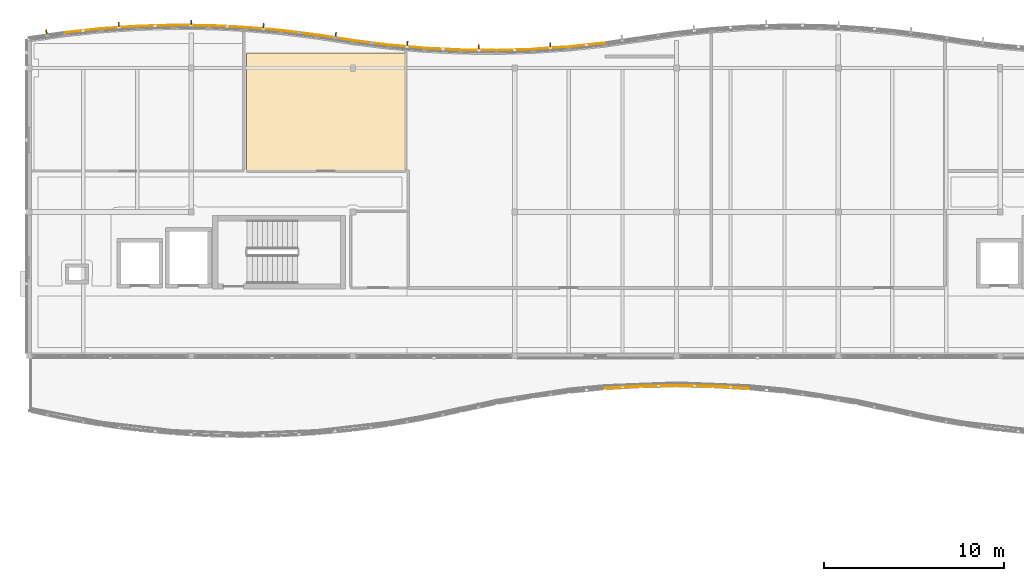
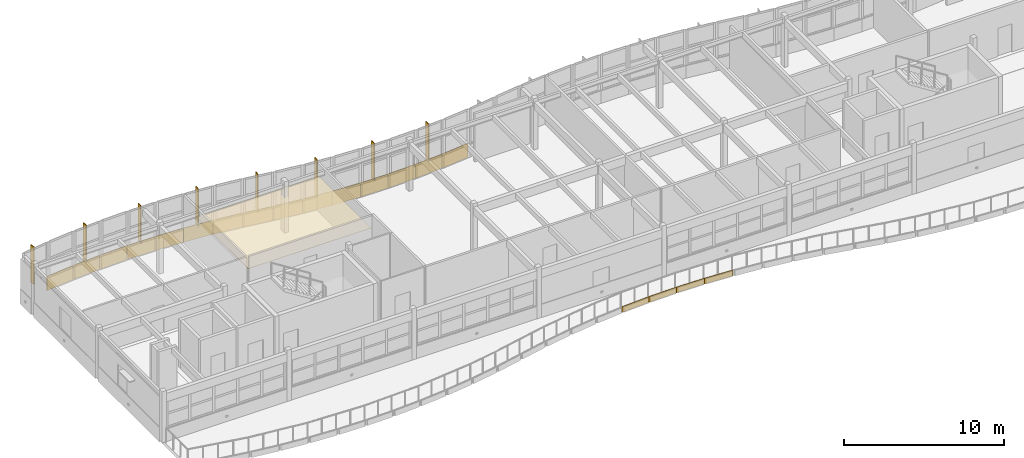
# One storey, part 29 of 33: 20 coverings, 8 shading devices.
"""IFC4 building model written with IfcOpenShell, lengths in metres."""

from ifc_helpers import new_model, si_unit, direction, frame, origin, origin_2d, place, context, subcontext, project, spatial, polyline, rectangle, outline, extrude, material, layer, layer_set, type_object, element, save


model = new_model("IFC4")

# Units and contexts
model_context = context("Model", 3, precision=1e-05, world=origin(), true_north=direction((0.0, 1.0)))
body_context = subcontext(model_context, "Body", "Model", "MODEL_VIEW")
ifc_project = project(units=[si_unit("LENGTHUNIT", "METRE"), si_unit("AREAUNIT", "SQUARE_METRE"), si_unit("VOLUMEUNIT", "CUBIC_METRE"), si_unit("PLANEANGLEUNIT", "RADIAN"), si_unit("MASSUNIT", "GRAM", prefix="KILO")], contexts=[model_context])

# Site, building, storey
site_placement = place(None, origin())
site = spatial("IfcSite", under=ifc_project, at=site_placement, CompositionType="ELEMENT")
building_placement = place(site_placement, origin())
building = spatial("IfcBuilding", under=site, at=building_placement, Name="Tonlespit Floodbar School", CompositionType="ELEMENT")
storey_placement = place(building_placement, frame((0.0, 0.0, 16.199951171875)))
storey = spatial("IfcBuildingStorey", under=building, at=storey_placement, Name="L04", CompositionType="ELEMENT", Elevation=16.199951171875)

# Coverings
ifc_material_1 = material(Name="Acoustic Mineral Tile")
ifc_layer_1 = layer(ifc_material_1, 0.02001953125)
ifc_layer_set_1 = layer_set([ifc_layer_1], Name="Acoustic Mineral Tile")
covering_type_1 = type_object("IfcCoveringType", Name="Ceiling_Acoustic_20", PredefinedType="CEILING", material=ifc_layer_set_1)
covering_1_placement = place(storey_placement, frame((0.0, 0.0, 2.650146484375)))
element("IfcCovering", 1, at=covering_1_placement, inside=storey, type_object=covering_type_1, Name="L04 Senior Humanities Classroom 402 acoustic ceiling", PredefinedType="CEILING", context=body_context, shape_type="SweptSolid", body=[
    extrude(outline(polyline([(56.070068359375, 120.835693359375), (64.929931640625, 120.835693359375), (64.929931640625, 114.27001953125), (56.070068359375, 114.27001953125), (56.070068359375, 120.835693359375)])), origin(), (0.0, 0.0, 1.0), 0.02001953125),
])
ifc_material_2 = material(Name="White Architectural Aluminium", Category="aluminium")
ifc_layer_2 = layer(ifc_material_2, 0.050048828125)
ifc_layer_set_2 = layer_set([ifc_layer_2], Name="White Architectural Aluminium")
covering_type_2 = type_object("IfcCoveringType", Name="Cladding_WhiteBand_50", PredefinedType="CLADDING", material=ifc_layer_set_2)
covering_2_placement = place(storey_placement, frame((0.0, 0.0, -0.119873046875)))
element("IfcCovering", 2, at=covering_2_placement, inside=storey, type_object=covering_type_2, Name="L04 curved white spandrel cladding 0298", PredefinedType="CLADDING", context=body_context, shape_type="SweptSolid", body=[
    extrude(outline(polyline([(45.989501953125, 121.94091796875), (47.989501953125, 122.15380859375), (47.984130859375, 122.203369140625), (45.984130859375, 121.99072265625), (45.989501953125, 121.94091796875)])), origin(), (0.0, 0.0, 1.0), 1.06982421875),
])
covering_3_placement = place(storey_placement, frame((0.0, 0.0, -0.119873046875)))
element("IfcCovering", 3, at=covering_3_placement, inside=storey, type_object=covering_type_2, Name="L04 curved white spandrel cladding 0299", PredefinedType="CLADDING", context=body_context, shape_type="SweptSolid", body=[
    extrude(outline(polyline([(47.993408203125, 122.154052734375), (49.993408203125, 122.2890625), (49.989990234375, 122.339111328125), (47.989990234375, 122.2041015625), (47.993408203125, 122.154052734375)])), origin(), (0.0, 0.0, 1.0), 1.06982421875),
])
covering_4_placement = place(storey_placement, frame((0.0, 0.0, -0.119873046875)))
element("IfcCovering", 4, at=covering_4_placement, inside=storey, type_object=covering_type_2, Name="L04 curved white spandrel cladding 0300", PredefinedType="CLADDING", context=body_context, shape_type="SweptSolid", body=[
    extrude(outline(polyline([(49.9970703125, 122.289306640625), (51.9970703125, 122.346923828125), (51.99560546875, 122.39697265625), (49.99560546875, 122.33935546875), (49.9970703125, 122.289306640625)])), origin(), (0.0, 0.0, 1.0), 1.06982421875),
])
covering_5_placement = place(storey_placement, frame((0.0, 0.0, -0.119873046875)))
element("IfcCovering", 5, at=covering_5_placement, inside=storey, type_object=covering_type_2, Name="L04 curved white spandrel cladding 0301", PredefinedType="CLADDING", context=body_context, shape_type="SweptSolid", body=[
    extrude(outline(polyline([(52.0009765625, 122.346923828125), (54.0009765625, 122.327880859375), (54.00146484375, 122.377685546875), (52.00146484375, 122.39697265625), (52.0009765625, 122.346923828125)])), origin(), (0.0, 0.0, 1.0), 1.06982421875),
])
covering_6_placement = place(storey_placement, frame((0.0, 0.0, -0.119873046875)))
element("IfcCovering", 6, at=covering_6_placement, inside=storey, type_object=covering_type_2, Name="L04 curved white spandrel cladding 0302", PredefinedType="CLADDING", context=body_context, shape_type="SweptSolid", body=[
    extrude(outline(polyline([(54.0048828125, 122.32763671875), (56.0048828125, 122.2314453125), (56.007080078125, 122.28125), (54.007080078125, 122.377685546875), (54.0048828125, 122.32763671875)])), origin(), (0.0, 0.0, 1.0), 1.06982421875),
])
covering_7_placement = place(storey_placement, frame((0.0, 0.0, -0.119873046875)))
element("IfcCovering", 7, at=covering_7_placement, inside=storey, type_object=covering_type_2, Name="L04 curved white spandrel cladding 0303", PredefinedType="CLADDING", context=body_context, shape_type="SweptSolid", body=[
    extrude(outline(polyline([(56.0087890625, 122.231201171875), (58.0087890625, 122.057373046875), (58.012939453125, 122.107177734375), (56.012939453125, 122.281005859375), (56.0087890625, 122.231201171875)])), origin(), (0.0, 0.0, 1.0), 1.06982421875),
])
covering_8_placement = place(storey_placement, frame((0.0, 0.0, -0.119873046875)))
element("IfcCovering", 8, at=covering_8_placement, inside=storey, type_object=covering_type_2, Name="L04 curved white spandrel cladding 0304", PredefinedType="CLADDING", context=body_context, shape_type="SweptSolid", body=[
    extrude(outline(polyline([(58.012451171875, 122.056884765625), (60.012451171875, 121.804931640625), (60.018798828125, 121.8544921875), (58.018798828125, 122.1064453125), (58.012451171875, 122.056884765625)])), origin(), (0.0, 0.0, 1.0), 1.06982421875),
])
covering_9_placement = place(storey_placement, frame((0.0, 0.0, -0.119873046875)))
element("IfcCovering", 9, at=covering_9_placement, inside=storey, type_object=covering_type_2, Name="L04 curved white spandrel cladding 0305", PredefinedType="CLADDING", context=body_context, shape_type="SweptSolid", body=[
    extrude(outline(polyline([(60.015380859375, 121.804443359375), (62.015380859375, 121.4931640625), (62.023193359375, 121.54248046875), (60.023193359375, 121.85400390625), (60.015380859375, 121.804443359375)])), origin(), (0.0, 0.0, 1.0), 1.06982421875),
])
covering_10_placement = place(storey_placement, frame((0.0, 0.0, -0.119873046875)))
element("IfcCovering", 10, at=covering_10_placement, inside=storey, type_object=covering_type_2, Name="L04 curved white spandrel cladding 0306", PredefinedType="CLADDING", context=body_context, shape_type="SweptSolid", body=[
    extrude(outline(polyline([(62.012451171875, 121.493408203125), (64.012451171875, 121.241455078125), (64.018798828125, 121.291015625), (62.018798828125, 121.543212890625), (62.012451171875, 121.493408203125)])), origin(), (0.0, 0.0, 1.0), 1.06982421875),
])
covering_11_placement = place(storey_placement, frame((0.0, 0.0, -0.119873046875)))
element("IfcCovering", 11, at=covering_11_placement, inside=storey, type_object=covering_type_2, Name="L04 curved white spandrel cladding 0307", PredefinedType="CLADDING", context=body_context, shape_type="SweptSolid", body=[
    extrude(outline(polyline([(64.0087890625, 121.241943359375), (66.0087890625, 121.068115234375), (66.012939453125, 121.117919921875), (64.012939453125, 121.291748046875), (64.0087890625, 121.241943359375)])), origin(), (0.0, 0.0, 1.0), 1.06982421875),
])
covering_12_placement = place(storey_placement, frame((0.0, 0.0, -0.119873046875)))
element("IfcCovering", 12, at=covering_12_placement, inside=storey, type_object=covering_type_2, Name="L04 curved white spandrel cladding 0308", PredefinedType="CLADDING", context=body_context, shape_type="SweptSolid", body=[
    extrude(outline(polyline([(66.0048828125, 121.068359375), (68.0048828125, 120.97216796875), (68.007080078125, 121.02197265625), (66.007080078125, 121.118408203125), (66.0048828125, 121.068359375)])), origin(), (0.0, 0.0, 1.0), 1.06982421875),
])
covering_13_placement = place(storey_placement, frame((0.0, 0.0, -0.119873046875)))
element("IfcCovering", 13, at=covering_13_placement, inside=storey, type_object=covering_type_2, Name="L04 curved white spandrel cladding 0309", PredefinedType="CLADDING", context=body_context, shape_type="SweptSolid", body=[
    extrude(outline(polyline([(68.0009765625, 120.97216796875), (70.0009765625, 120.952880859375), (70.00146484375, 121.0029296875), (68.00146484375, 121.022216796875), (68.0009765625, 120.97216796875)])), origin(), (0.0, 0.0, 1.0), 1.06982421875),
])
covering_14_placement = place(storey_placement, frame((0.0, 0.0, -0.119873046875)))
element("IfcCovering", 14, at=covering_14_placement, inside=storey, type_object=covering_type_2, Name="L04 curved white spandrel cladding 0310", PredefinedType="CLADDING", context=body_context, shape_type="SweptSolid", body=[
    extrude(outline(polyline([(69.9970703125, 120.952880859375), (71.9970703125, 121.0107421875), (71.99560546875, 121.060791015625), (69.99560546875, 121.0029296875), (69.9970703125, 120.952880859375)])), origin(), (0.0, 0.0, 1.0), 1.06982421875),
])
covering_15_placement = place(storey_placement, frame((0.0, 0.0, -0.119873046875)))
element("IfcCovering", 15, at=covering_15_placement, inside=storey, type_object=covering_type_2, Name="L04 curved white spandrel cladding 0311", PredefinedType="CLADDING", context=body_context, shape_type="SweptSolid", body=[
    extrude(outline(polyline([(71.993408203125, 121.010498046875), (73.993408203125, 121.1455078125), (73.989990234375, 121.1953125), (71.989990234375, 121.060302734375), (71.993408203125, 121.010498046875)])), origin(), (0.0, 0.0, 1.0), 1.06982421875),
])
covering_16_placement = place(storey_placement, frame((0.0, 0.0, -0.119873046875)))
element("IfcCovering", 16, at=covering_16_placement, inside=storey, type_object=covering_type_2, Name="L04 curved white spandrel cladding 0312", PredefinedType="CLADDING", context=body_context, shape_type="SweptSolid", body=[
    extrude(outline(polyline([(73.989501953125, 121.14501953125), (75.989501953125, 121.35791015625), (75.984130859375, 121.407470703125), (73.984130859375, 121.19482421875), (73.989501953125, 121.14501953125)])), origin(), (0.0, 0.0, 1.0), 1.06982421875),
])
covering_17_placement = place(storey_placement, frame((0.0, 0.0, -0.300048828125)))
element("IfcCovering", 17, at=covering_17_placement, inside=storey, type_object=covering_type_2, Name="L04 curved white spandrel cladding 0360", PredefinedType="CLADDING", context=body_context, shape_type="SweptSolid", body=[
    extrude(outline(polyline([(76.0, 102.20947265625), (78.0, 102.3251953125), (78.0, 102.275146484375), (76.0, 102.159423828125), (76.0, 102.20947265625)])), origin(), (0.0, 0.0, 1.0), 0.420166015625),
])
covering_18_placement = place(storey_placement, frame((0.0, 0.0, -0.300048828125)))
element("IfcCovering", 18, at=covering_18_placement, inside=storey, type_object=covering_type_2, Name="L04 curved white spandrel cladding 0361", PredefinedType="CLADDING", context=body_context, shape_type="SweptSolid", body=[
    extrude(outline(polyline([(78.0, 102.3251953125), (80.0, 102.363525390625), (80.0, 102.313720703125), (78.0, 102.275146484375), (78.0, 102.3251953125)])), origin(), (0.0, 0.0, 1.0), 0.420166015625),
])
covering_19_placement = place(storey_placement, frame((0.0, 0.0, -0.300048828125)))
element("IfcCovering", 19, at=covering_19_placement, inside=storey, type_object=covering_type_2, Name="L04 curved white spandrel cladding 0362", PredefinedType="CLADDING", context=body_context, shape_type="SweptSolid", body=[
    extrude(outline(polyline([(80.0, 102.363525390625), (82.0, 102.3251953125), (82.0, 102.275146484375), (80.0, 102.313720703125), (80.0, 102.363525390625)])), origin(), (0.0, 0.0, 1.0), 0.420166015625),
])
covering_20_placement = place(storey_placement, frame((0.0, 0.0, -0.300048828125)))
element("IfcCovering", 20, at=covering_20_placement, inside=storey, type_object=covering_type_2, Name="L04 curved white spandrel cladding 0363", PredefinedType="CLADDING", context=body_context, shape_type="SweptSolid", body=[
    extrude(outline(polyline([(82.0, 102.3251953125), (84.0, 102.20947265625), (84.0, 102.159423828125), (82.0, 102.275146484375), (82.0, 102.3251953125)])), origin(), (0.0, 0.0, 1.0), 0.420166015625),
])

# Shading devices
ifc_material_3 = material(Name="Terracotta Anodised Aluminium", Category="masonry")
ifc_layer_3 = layer(ifc_material_3, 0.06005859375)
ifc_layer_set_3 = layer_set([ifc_layer_3], Name="Terracotta Anodised Aluminium")
shading_device_type = type_object("IfcShadingDeviceType", Name="Shading_SolarFin_350", PredefinedType="USERDEFINED", material=ifc_layer_set_3)
for number, where, z_axis, x_axis, name in (
    (21, (44.96240234375, 121.953125, 0.800048828125), (0.0, 0.0, 1.0), (0.989537627347, 0.144275029245, 0.0), "L04 vertical solar fin 074"),
    (22, (48.982421875, 122.381103515625, 0.800048828125), (0.0, 0.0, 1.0), (0.997729639049, 0.067346621018, 0.0), "L04 vertical solar fin 075"),
    (23, (53.00244140625, 122.497314453125, 0.800048828125), (0.0, 0.0, 1.0), (0.999953926969, -0.009599163462, 0.0), "L04 vertical solar fin 076"),
    (24, (57.0224609375, 122.3037109375, 0.800048828125), (0.0, 0.0, 1.0), (0.996245486492, -0.086573267488, 0.0), "L04 vertical solar fin 077"),
    (25, (61.0400390625, 121.806884765625, 0.800048828125), (0.0, 0.0, 1.0), (0.988094768361, -0.153846445322, 0.0), "L04 vertical solar fin 078"),
    (26, (65.0224609375, 121.314453125, 0.800048828125), (0.0, 0.0, 1.0), (0.996245486492, -0.086573267488, 0.0), "L04 vertical solar fin 079"),
    (27, (69.00244140625, 121.12255859375, 0.800048828125), (0.0, 0.0, 1.0), (0.999953926969, -0.009599163462, 0.0), "L04 vertical solar fin 080"),
    (28, (72.982421875, 121.237548828125, 0.800048828125), (0.0, 0.0, 1.0), (0.997729639049, 0.067346621018, 0.0), "L04 vertical solar fin 081"),
):
    element("IfcShadingDevice", number, at=place(storey_placement, frame(where, z_axis=z_axis, x_axis=x_axis)), inside=storey, type_object=shading_device_type, Name=name, ObjectType="SOLAR FIN", PredefinedType="USERDEFINED", context=body_context, shape_type="SweptSolid", body=[
        extrude(rectangle(XDim=0.06005859375, YDim=0.35009765625, at=origin_2d()), origin(), (0.0, 0.0, 1.0), 2.85009765625),
    ])

save(model, "model.ifc")
